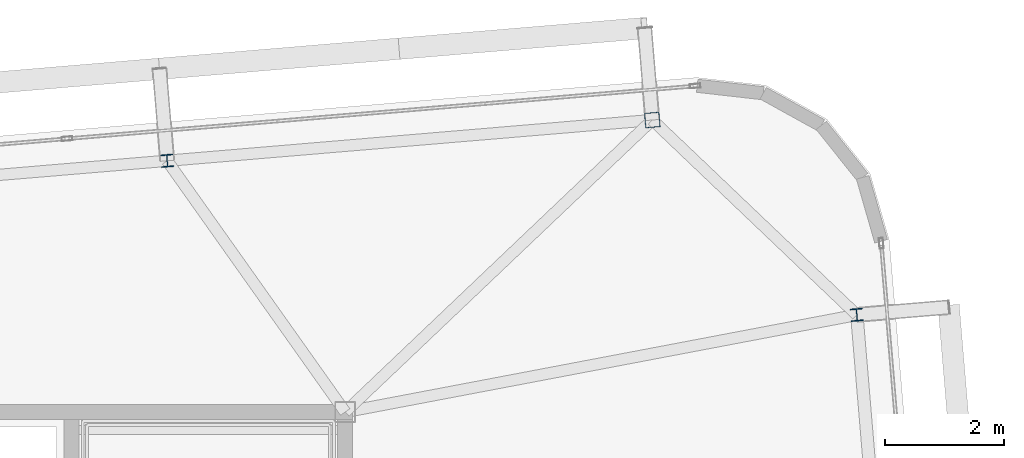
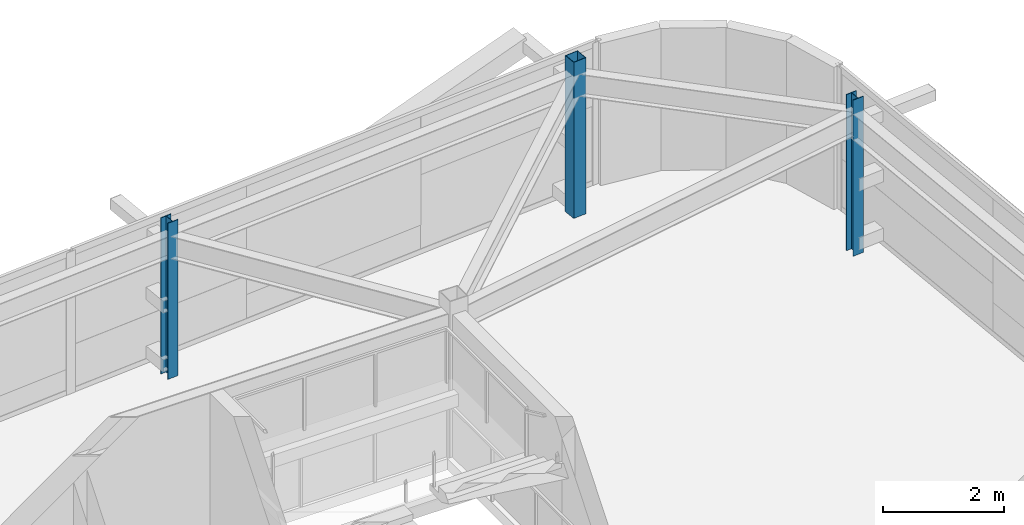
# One storey, part 6 of 39: 3 columns.
"""IFC4 building model written with IfcOpenShell, lengths in metres."""

import ifcopenshell
import ifcopenshell.guid

model = None  # the IFC model being written
_history = None  # IfcOwnerHistory: only IFC2X3 demands one
_inside = {}  # id of a spatial element -> (the spatial element, [elements in it])
_under = {}  # id of a project, library or spatial element -> (it, [spatial elements below it])
_declared = {}  # id of a project -> (the project, [libraries it declares])
_typed = {}  # id of a type object -> (the type object, [elements of that type])
_made_of = {}  # id of a material, layer set ... -> (it, [elements and type objects made of it])


def new_model(schema):
    """Start an empty IFC model of exactly this schema.

    Asked for "IFC4X3", IfcOpenShell would pick the latest addendum, in which some entities
    have other attributes; the version numbers below select the first issue.
    IFC2X3 requires an IfcOwnerHistory on every rooted entity: one is made here for all.
    """
    global model, _history
    if schema == "IFC4X3":
        model = ifcopenshell.file(schema_version=(4, 3, 0, 0))
    else:
        model = ifcopenshell.file(schema=schema)
    _inside.clear()
    _under.clear()
    _declared.clear()
    _typed.clear()
    _made_of.clear()
    _history = None
    if model.schema == "IFC2X3":
        org = make("IfcOrganization", Name="unknown")
        user = make(
            "IfcPersonAndOrganization",
            ThePerson=make("IfcPerson", FamilyName="unknown"),
            TheOrganization=org,
        )
        app = make(
            "IfcApplication",
            ApplicationDeveloper=org,
            Version="unknown",
            ApplicationFullName="unknown",
            ApplicationIdentifier="unknown",
        )
        _history = make(
            "IfcOwnerHistory",
            OwningUser=user,
            OwningApplication=app,
            ChangeAction="ADDED",
            CreationDate=0,
        )
    return model


def make(cls, **values):
    """One entity of the class cls with the attributes given. An attribute that is None is left unset."""
    return model.create_entity(
        cls, **{name: value for name, value in values.items() if value is not None}
    )


def rooted(cls, **values):
    """An entity with a GlobalId (a new one), such as an element, a storey or a relation."""
    return make(cls, GlobalId=ifcopenshell.guid.new(), OwnerHistory=_history, **values)


def si_unit(unit_type, name, prefix=None):
    """IfcSIUnit, for example si_unit("LENGTHUNIT", "METRE", prefix="MILLI")."""
    return make("IfcSIUnit", UnitType=unit_type, Prefix=prefix, Name=name)


def assignment(units):
    """IfcUnitAssignment: the units of a project."""
    return None if units is None else make("IfcUnitAssignment", Units=units)


def point(xyz):
    """IfcCartesianPoint."""
    return None if xyz is None else make("IfcCartesianPoint", Coordinates=xyz)


def direction(xyz):
    """IfcDirection."""
    return None if xyz is None else make("IfcDirection", DirectionRatios=xyz)


def frame(location, z_axis=None, x_axis=None):
    """IfcAxis2Placement3D, a coordinate frame: its origin and axes. An axis left out is left unset."""
    return make(
        "IfcAxis2Placement3D",
        Location=point(location),
        Axis=direction(z_axis),
        RefDirection=direction(x_axis),
    )


def frame_2d(location, x_axis=None):
    """IfcAxis2Placement2D, a coordinate frame in the plane: its origin and x axis."""
    return make(
        "IfcAxis2Placement2D", Location=point(location), RefDirection=direction(x_axis)
    )


def origin():
    """The frame at (0, 0, 0) with its axes left unset."""
    return frame((0.0, 0.0, 0.0))


def origin_2d():
    """The frame at (0, 0) in the plane with its x axis left unset."""
    return frame_2d((0.0, 0.0))


def place(relative_to, where):
    """IfcLocalPlacement: puts the frame where relative to a parent placement (None: the world)."""
    return make(
        "IfcLocalPlacement", PlacementRelTo=relative_to, RelativePlacement=where
    )


def context(
    kind, dimensions, precision=None, world=None, true_north=None, identifier=None
):
    """IfcGeometricRepresentationContext, for example the 3D "Model" context."""
    return make(
        "IfcGeometricRepresentationContext",
        ContextIdentifier=identifier,
        ContextType=kind,
        CoordinateSpaceDimension=dimensions,
        Precision=precision,
        WorldCoordinateSystem=world,
        TrueNorth=true_north,
    )


def subcontext(parent, identifier, kind, view, scale=None):
    """IfcGeometricRepresentationSubContext, for example "Body" below "Model"."""
    return make(
        "IfcGeometricRepresentationSubContext",
        ContextIdentifier=identifier,
        ContextType=kind,
        ParentContext=parent,
        TargetScale=scale,
        TargetView=view,
    )


def project(units=None, contexts=None):
    """IfcProject with its units and contexts."""
    return rooted(
        "IfcProject",
        Name="project",
        RepresentationContexts=contexts,
        UnitsInContext=assignment(units),
    )


def spatial(cls, under=None, at=None, **own):
    """A site, building, storey or space (cls), placed at a placement, below another one or the project."""
    s = rooted(cls, ObjectPlacement=at, **own)
    if under is not None:
        _under.setdefault(under.id(), (under, []))[1].append(s)
    return s


def profile(cls, at=None, kind="AREA", **sizes):
    """A parametric profile (cls). Its sizes go by their IFC names, for example OverallWidth=200.0."""
    return make(cls, ProfileType=kind, Position=at, **sizes)


def hollow_rectangle(**sizes):
    """IfcRectangleHollowProfileDef."""
    return profile("IfcRectangleHollowProfileDef", **sizes)


def i_section(**sizes):
    """IfcIShapeProfileDef."""
    return profile("IfcIShapeProfileDef", **sizes)


def extrude(swept, where, along, depth):
    """IfcExtrudedAreaSolid: the profile swept, set in the frame where, extruded along a direction by depth."""
    return make(
        "IfcExtrudedAreaSolid",
        SweptArea=swept,
        Position=where,
        ExtrudedDirection=direction(along),
        Depth=depth,
    )


def shape(context_of_items, identifier, shape_type, items):
    """IfcShapeRepresentation: the items that make up one representation, for example the "Body"."""
    return make(
        "IfcShapeRepresentation",
        ContextOfItems=context_of_items,
        RepresentationIdentifier=identifier,
        RepresentationType=shape_type,
        Items=items,
    )


def source(mapping_origin, context_of_items, identifier, shape_type, items):
    """IfcRepresentationMap: a shape defined once, which mapped items show again and again."""
    return make(
        "IfcRepresentationMap",
        MappingOrigin=mapping_origin,
        MappedRepresentation=shape(context_of_items, identifier, shape_type, items),
    )


def transform(
    local_origin,
    x_axis=None,
    y_axis=None,
    z_axis=None,
    scale=None,
    scale2=None,
    scale3=None,
    uniform=True,
):
    """IfcCartesianTransformationOperator3D, or its non-uniform kind. x_axis, y_axis, z_axis: its Axis1, 2, 3."""
    if uniform:
        return make(
            "IfcCartesianTransformationOperator3D",
            Axis1=direction(x_axis),
            Axis2=direction(y_axis),
            LocalOrigin=point(local_origin),
            Scale=scale,
            Axis3=direction(z_axis),
        )
    return make(
        "IfcCartesianTransformationOperator3DnonUniform",
        Axis1=direction(x_axis),
        Axis2=direction(y_axis),
        LocalOrigin=point(local_origin),
        Scale=scale,
        Axis3=direction(z_axis),
        Scale2=scale2,
        Scale3=scale3,
    )


def mapped(mapping_source, mapping_target):
    """IfcMappedItem: shows the shape of a source again, moved by a transform."""
    return make(
        "IfcMappedItem", MappingSource=mapping_source, MappingTarget=mapping_target
    )


def material(Name=None, Category=None):
    """IfcMaterial."""
    return make("IfcMaterial", Name=Name, Category=Category)


def material_profile(
    of_material, cross_section, Name=None, Category=None, Priority=None
):
    """IfcMaterialProfile: a cross section and its material."""
    return make(
        "IfcMaterialProfile",
        Name=Name,
        Material=of_material,
        Profile=cross_section,
        Priority=Priority,
        Category=Category,
    )


def profile_set(profiles, Name=None, composite=None):
    """IfcMaterialProfileSet."""
    return make(
        "IfcMaterialProfileSet",
        Name=Name,
        MaterialProfiles=profiles,
        CompositeProfile=composite,
    )


def made_of(thing, what):
    """Note that an element or type object is made of a material, layer set ...; save() writes the relation."""
    if what is not None:
        _made_of.setdefault(what.id(), (what, []))[1].append(thing)
    return thing


def type_object(cls, material=None, **own):
    """A type object (cls), such as IfcWallType, which elements share."""
    return made_of(rooted(cls, **own), material)


def element(
    cls,
    number,
    at=None,
    inside=None,
    cuts=None,
    type_object=None,
    material=None,
    context=None,
    identifier="Body",
    shape_type=None,
    held_by="IfcProductDefinitionShape",
    body=None,
    shapes=None,
    **own,
):
    """One element of the class cls, such as IfcWall. Its Tag is "e" and its number.

    at: its placement. inside: the storey or other place that contains it. cuts: it is an
    opening in that element (IfcRelVoidsElement). A single representation is given by context,
    identifier, shape_type and body (its items); several are given by shapes. held_by: the class
    of the entity that holds the representations. save() writes the other relations.
    """
    e = rooted(cls, Tag="e%d" % number, ObjectPlacement=at, **own)
    if body is not None:
        shapes = [shape(context, identifier, shape_type, body)]
    if shapes is not None:
        e.Representation = make(held_by, Representations=shapes)
    if inside is not None:
        _inside.setdefault(inside.id(), (inside, []))[1].append(e)
    if cuts is not None:
        rooted(
            "IfcRelVoidsElement", RelatingBuildingElement=cuts, RelatedOpeningElement=e
        )
    if type_object is not None:
        _typed.setdefault(type_object.id(), (type_object, []))[1].append(e)
    return made_of(e, material)


def aggregate(whole, parts):
    """IfcRelAggregates: a whole, such as a stair, and the parts it consists of."""
    return rooted("IfcRelAggregates", RelatingObject=whole, RelatedObjects=parts)


def save(model, path):
    """Write the relations noted so far, then the file.

    IfcRelAggregates (storeys below a building ...), IfcRelContainedInSpatialStructure (elements
    in a storey), IfcRelDefinesByType, IfcRelAssociatesMaterial and IfcRelDeclares: one each for
    every whole, place, type object, material and project.
    """
    for whole, parts in _under.values():
        aggregate(whole, parts)
    for where, things in _inside.values():
        rooted(
            "IfcRelContainedInSpatialStructure",
            RelatedElements=things,
            RelatingStructure=where,
        )
    for kind, things in _typed.values():
        rooted("IfcRelDefinesByType", RelatedObjects=things, RelatingType=kind)
    for what, things in _made_of.values():
        rooted("IfcRelAssociatesMaterial", RelatedObjects=things, RelatingMaterial=what)
    for by, libraries in _declared.values():
        rooted("IfcRelDeclares", RelatingContext=by, RelatedDefinitions=libraries)
    model.write(path)


model = new_model("IFC4")

# Units and contexts
model_context = context("Model", 3, precision=1e-05, world=origin(), true_north=direction((0.0, 1.0)))
body_context = subcontext(model_context, "Body", "Model", "MODEL_VIEW")
ifc_project = project(units=[si_unit("LENGTHUNIT", "METRE"), si_unit("AREAUNIT", "SQUARE_METRE"), si_unit("VOLUMEUNIT", "CUBIC_METRE"), si_unit("PLANEANGLEUNIT", "RADIAN"), si_unit("MASSUNIT", "GRAM", prefix="KILO")], contexts=[model_context])

# Site, building, storey
site_placement = place(None, origin())
site = spatial("IfcSite", under=ifc_project, at=site_placement, CompositionType="ELEMENT")
building_placement = place(site_placement, origin())
building = spatial("IfcBuilding", under=site, at=building_placement, Name="Taldren Reach Tower", CompositionType="ELEMENT")
storey_placement = place(building_placement, frame((0.0, 0.0, 204.050048828125)))
storey = spatial("IfcBuildingStorey", under=building, at=storey_placement, Name="L62", CompositionType="ELEMENT", Elevation=204.050048828125)

# Columns
ifc_material_1 = material(Name="Steel Gr 350 (C350L0)", Category="steel")
ifc_material_profile_1 = material_profile(ifc_material_1, hollow_rectangle(XDim=0.25, YDim=0.25, WallThickness=0.010009765625, at=origin_2d()), Name="250x250x10.0SHS")
ifc_profile_set_1 = profile_set([ifc_material_profile_1], Name="Steel Gr 350 (C350L0)")
column_type_1 = type_object("IfcColumnType", Name="COL-SHS250", PredefinedType="COLUMN", material=ifc_profile_set_1)
shared_shape_1 = source(origin(), body_context, "Body", "SweptSolid", [
    extrude(hollow_rectangle(XDim=0.25, YDim=0.25, WallThickness=0.010009765625, at=origin_2d()), origin(), (0.0, 0.0, 1.0), 3.14990234375),
])
column_placement = place(storey_placement, frame((56.160400390625, 36.906005859375, 0.0), z_axis=(0.0, 0.0, 1.0), x_axis=(0.99649285925, 0.083677843332, 0.0)))
element("IfcColumn", 1, at=column_placement, inside=storey, type_object=column_type_1, Name="Block B4 perimeter column N6 L62", PredefinedType="COLUMN", context=body_context, shape_type="MappedRepresentation", body=[
    mapped(shared_shape_1, transform((0.0, 0.0, 0.0), scale=1.0)),
])
ifc_material_2 = material(Name="Steel Gr 350 (350PLUS)", Category="steel")
ifc_material_profile_2 = material_profile(ifc_material_2, i_section(OverallWidth=0.205078125, OverallDepth=0.2099609375, WebThickness=0.00927734375, FlangeThickness=0.01416015625, at=origin_2d()), Name="200UC59.5")
ifc_profile_set_2 = profile_set([ifc_material_profile_2], Name="Steel Gr 350 (350PLUS)")
column_type_2 = type_object("IfcColumnType", Name="COL-UC200", PredefinedType="COLUMN", material=ifc_profile_set_2)
shared_shape_2 = source(origin(), body_context, "Body", "SweptSolid", [
    extrude(i_section(OverallWidth=0.205078125, OverallDepth=0.2099609375, WebThickness=0.00927734375, FlangeThickness=0.01416015625, at=origin_2d()), origin(), (0.0, 0.0, 1.0), 3.14990234375),
])
for number, where, z_axis, x_axis, name in (
    (2, (48.009033203125, 36.221435546875, 0.0), (0.0, 0.0, 1.0), (0.99649285925, 0.083677843332, 0.0), "Block B4 perimeter column N5 L62"),
    (3, (59.596435546875, 33.632080078125, 0.0), (0.0, 0.0, 1.0), (0.99649285925, 0.083677843332, 0.0), "Block B4 perimeter column E3 L62"),
):
    element("IfcColumn", number, at=place(storey_placement, frame(where, z_axis=z_axis, x_axis=x_axis)), inside=storey, type_object=column_type_2, Name=name, PredefinedType="COLUMN", context=body_context, shape_type="MappedRepresentation", body=[
        mapped(shared_shape_2, transform((0.0, 0.0, 0.0), scale=1.0)),
    ])

save(model, "model.ifc")
